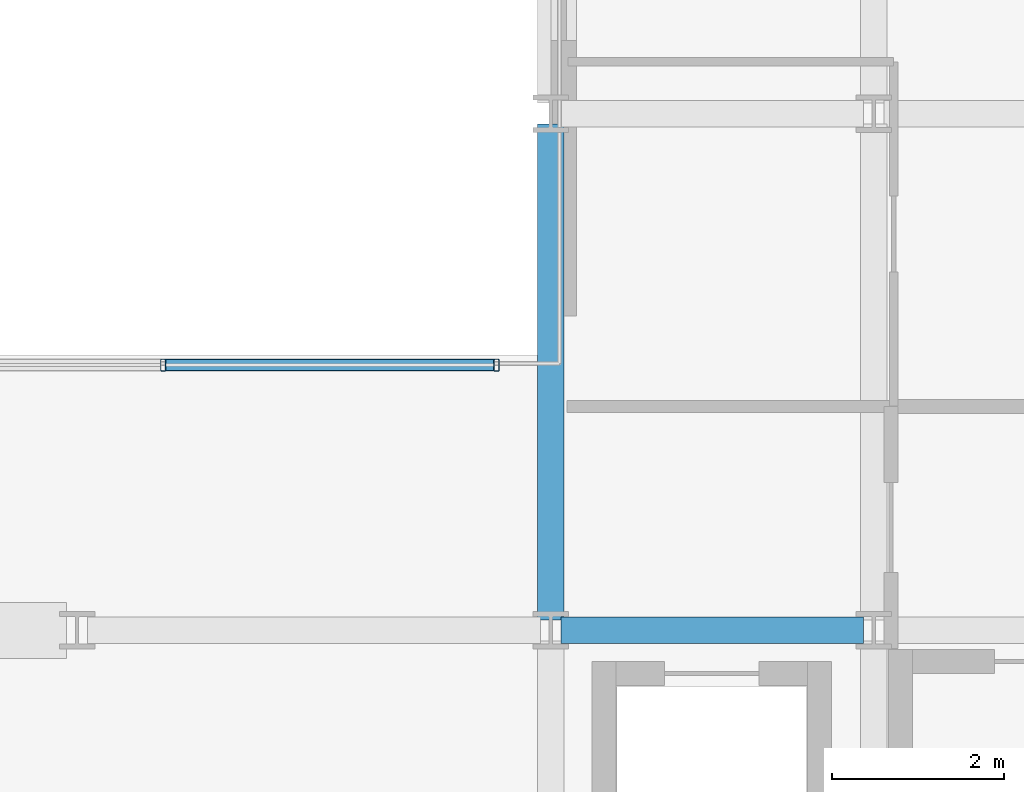
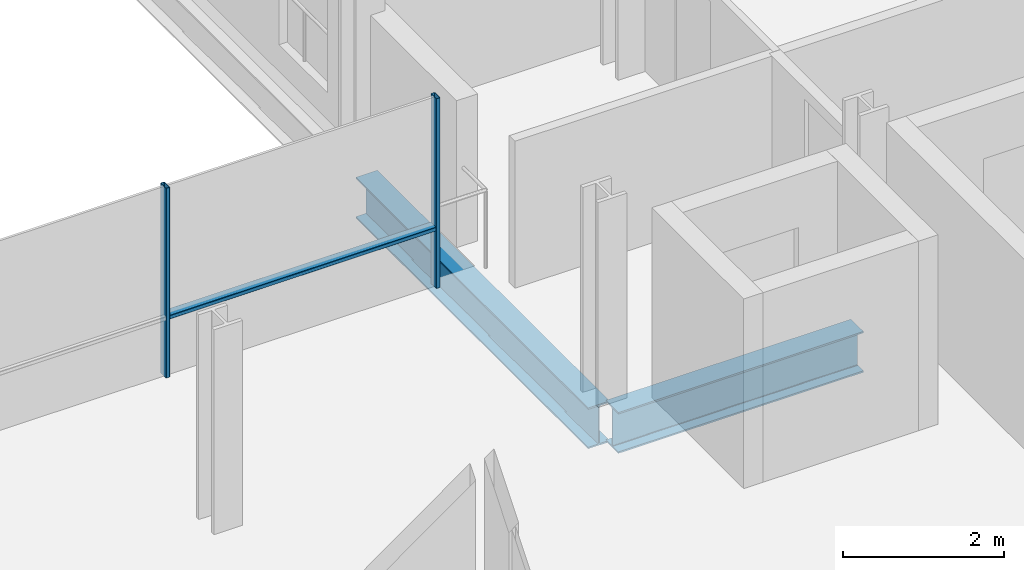
# One storey, part 13 of 39: 3 members, 2 beams, 1 element without a shape of its own.
"""IFC4 building model written with IfcOpenShell, lengths in metres."""

from ifc_helpers import new_model, si_unit, direction, frame, origin, origin_2d, place, context, subcontext, project, spatial, hollow_rectangle, i_section, extrude, material, layer, layer_set, material_profile, profile_set, type_object, element, aggregate, save


model = new_model("IFC4")

# Units and contexts
model_context = context("Model", 3, precision=1e-05, world=origin(), true_north=direction((0.0, 1.0)))
body_context = subcontext(model_context, "Body", "Model", "MODEL_VIEW")
ifc_project = project(units=[si_unit("LENGTHUNIT", "METRE"), si_unit("AREAUNIT", "SQUARE_METRE"), si_unit("VOLUMEUNIT", "CUBIC_METRE"), si_unit("PLANEANGLEUNIT", "RADIAN"), si_unit("MASSUNIT", "GRAM", prefix="KILO")], contexts=[model_context])

# Site, building, storey
site_placement = place(None, origin())
site = spatial("IfcSite", under=ifc_project, at=site_placement, CompositionType="ELEMENT")
building_placement = place(site_placement, origin())
building = spatial("IfcBuilding", under=site, at=building_placement, Name="Brevholm Reach", CompositionType="ELEMENT")
storey_placement = place(building_placement, frame((0.0, 0.0, 90.0)))
storey = spatial("IfcBuildingStorey", under=building, at=storey_placement, Name="L26", CompositionType="ELEMENT", Elevation=90.0)

# Beams
ifc_material_1 = material(Name="Structural Steel S355J2", Category="steel")
ifc_material_profile_1 = material_profile(ifc_material_1, i_section(OverallWidth=0.30712890625, OverallDepth=0.6201171875, WebThickness=0.01416015625, FlangeThickness=0.023681640625, FilletRadius=0.0166015625, at=origin_2d()), Name="UKB 610x305x179")
ifc_profile_set_1 = profile_set([ifc_material_profile_1], Name="Structural Steel S355J2")
beam_type = type_object("IfcBeamType", Name="BM-UKB610H", PredefinedType="USERDEFINED", material=ifc_profile_set_1)
beam_1_placement = place(storey_placement, frame((38.3701171875, 10.0, -0.5400390625), z_axis=(1.0, 0.0, 0.0), x_axis=(0.0, 1.0, 0.0)))
element("IfcBeam", 1, at=beam_1_placement, inside=storey, type_object=beam_type, Name="L26 G-06 Framing Beam", ObjectType="GIRDER", PredefinedType="USERDEFINED", context=body_context, shape_type="SweptSolid", body=[
    extrude(i_section(OverallWidth=0.30712890625, OverallDepth=0.6201171875, WebThickness=0.01416015625, FlangeThickness=0.023681640625, FilletRadius=0.0166015625, at=origin_2d()), origin(), (0.0, 0.0, 1.0), 3.509765625),
])
beam_2_placement = place(storey_placement, frame((38.25, 10.1201171875, -0.5400390625), z_axis=(0.0, 1.0, 0.0), x_axis=(-1.0, 0.0, 0.0)))
element("IfcBeam", 2, at=beam_2_placement, inside=storey, type_object=beam_type, Name="L26 G-06 Framing Beam", ObjectType="GIRDER", PredefinedType="USERDEFINED", context=body_context, shape_type="SweptSolid", body=[
    extrude(i_section(OverallWidth=0.30712890625, OverallDepth=0.6201171875, WebThickness=0.01416015625, FlangeThickness=0.023681640625, FilletRadius=0.0166015625, at=origin_2d()), origin(), (0.0, 0.0, 1.0), 5.759765625),
])

# Curtain wall, members
ifc_material_2 = material(Name="Dark Anodised Aluminium 6063-T6 and Solar-Control Glass", Category="aluminium")
ifc_layer = layer(ifc_material_2, 0.139892578125)
ifc_layer_set = layer_set([ifc_layer], Name="Dark Anodised Aluminium 6063-T6 and Solar-Control Glass")
curtain_wall_type = type_object("IfcCurtainWallType", Name="CW-02", PredefinedType="NOTDEFINED", material=ifc_layer_set)
curtain_wall_placement = place(storey_placement, origin())
curtain_wall = element("IfcCurtainWall", 3, at=curtain_wall_placement, inside=storey, type_object=curtain_wall_type, Name="L26 Curtain Wall CW-02", PredefinedType="NOTDEFINED")
ifc_material_3 = material(Name="Dark Anodised Aluminium 6063-T6", Category="aluminium")
ifc_material_profile_2 = material_profile(ifc_material_3, hollow_rectangle(XDim=0.06005859375, YDim=0.139892578125, WallThickness=0.0048828125, InnerFilletRadius=0.0048828125, OuterFilletRadius=0.010009765625, at=origin_2d()), Name="RHS 140x60x5")
ifc_profile_set_2 = profile_set([ifc_material_profile_2], Name="Dark Anodised Aluminium 6063-T6")
member_type_1 = type_object("IfcMemberType", Name="CWM-140", PredefinedType="MULLION", material=ifc_profile_set_2)
member_1_placement = place(storey_placement, frame((33.75, 13.080078125, 0.0), z_axis=(0.0, 0.0, 1.0), x_axis=(1.0, 0.0, 0.0)))
member_1 = element("IfcMember", 4, at=member_1_placement, type_object=member_type_1, Name="CM-140 Mullion 4", PredefinedType="MULLION", context=body_context, shape_type="SweptSolid", body=[
    extrude(hollow_rectangle(XDim=0.06005859375, YDim=0.139892578125, WallThickness=0.0048828125, InnerFilletRadius=0.0048828125, OuterFilletRadius=0.010009765625, at=origin_2d()), origin(), (0.0, 0.0, 1.0), 2.8701171875),
])
member_2_placement = place(storey_placement, frame((37.6201171875, 13.080078125, 0.0), z_axis=(0.0, 0.0, 1.0), x_axis=(1.0, 0.0, 0.0)))
member_2 = element("IfcMember", 5, at=member_2_placement, type_object=member_type_1, Name="CM-140 Mullion 5", PredefinedType="MULLION", context=body_context, shape_type="SweptSolid", body=[
    extrude(hollow_rectangle(XDim=0.06005859375, YDim=0.139892578125, WallThickness=0.0048828125, InnerFilletRadius=0.0048828125, OuterFilletRadius=0.010009765625, at=origin_2d()), origin(), (0.0, 0.0, 1.0), 2.8701171875),
])
ifc_material_4 = material(Name="Dark Anodised Aluminium 6063-T6", Category="aluminium")
ifc_material_profile_3 = material_profile(ifc_material_4, hollow_rectangle(XDim=0.06005859375, YDim=0.139892578125, WallThickness=0.0048828125, InnerFilletRadius=0.0048828125, OuterFilletRadius=0.010009765625, at=origin_2d()), Name="RHS 140x60x5")
ifc_profile_set_3 = profile_set([ifc_material_profile_3], Name="Dark Anodised Aluminium 6063-T6")
member_type_2 = type_object("IfcMemberType", Name="CWT-140", PredefinedType="NOTDEFINED", material=ifc_profile_set_3)
member_3_placement = place(storey_placement, frame((33.780029296875, 13.080078125, 0.89990234375), z_axis=(1.0, 0.0, 0.0), x_axis=(0.0, 0.0, 1.0)))
member_3 = element("IfcMember", 6, at=member_3_placement, type_object=member_type_2, Name="CT-140 Transom 4.1", ObjectType="TRANSOM", PredefinedType="USERDEFINED", context=body_context, shape_type="SweptSolid", body=[
    extrude(hollow_rectangle(XDim=0.06005859375, YDim=0.139892578125, WallThickness=0.0048828125, InnerFilletRadius=0.0048828125, OuterFilletRadius=0.010009765625, at=origin_2d()), origin(), (0.0, 0.0, 1.0), 3.81005859375),
])
aggregate(curtain_wall, [member_1, member_2, member_3])

save(model, "model.ifc")
